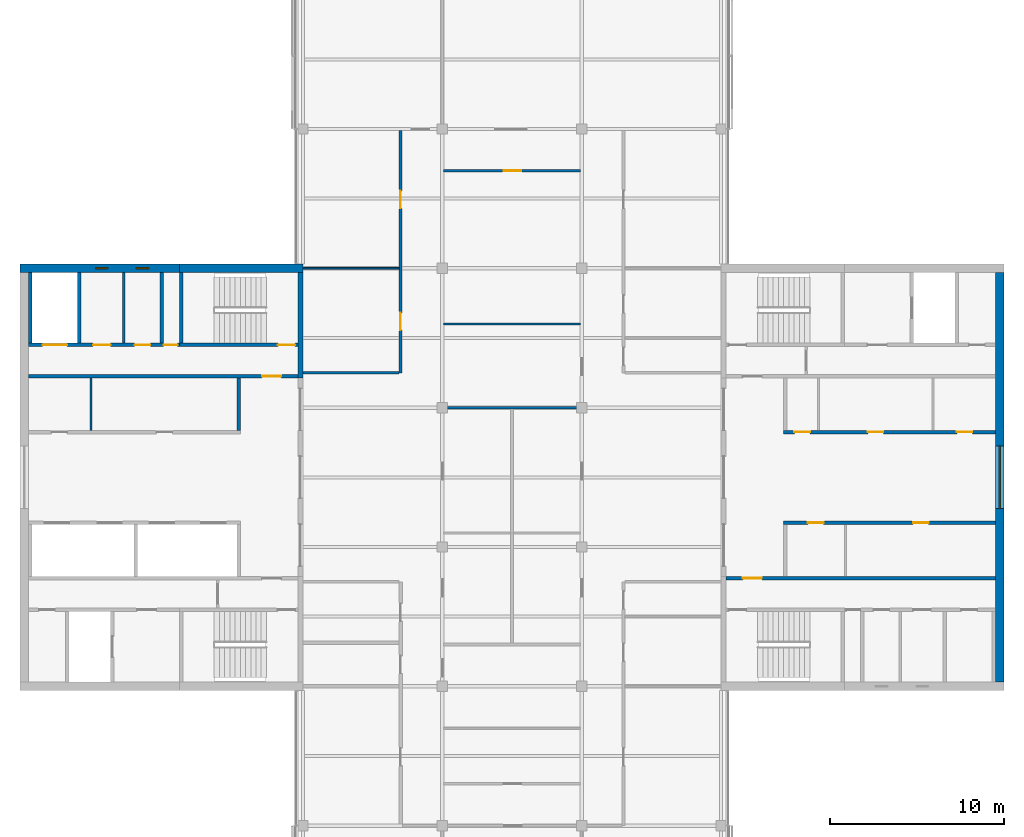
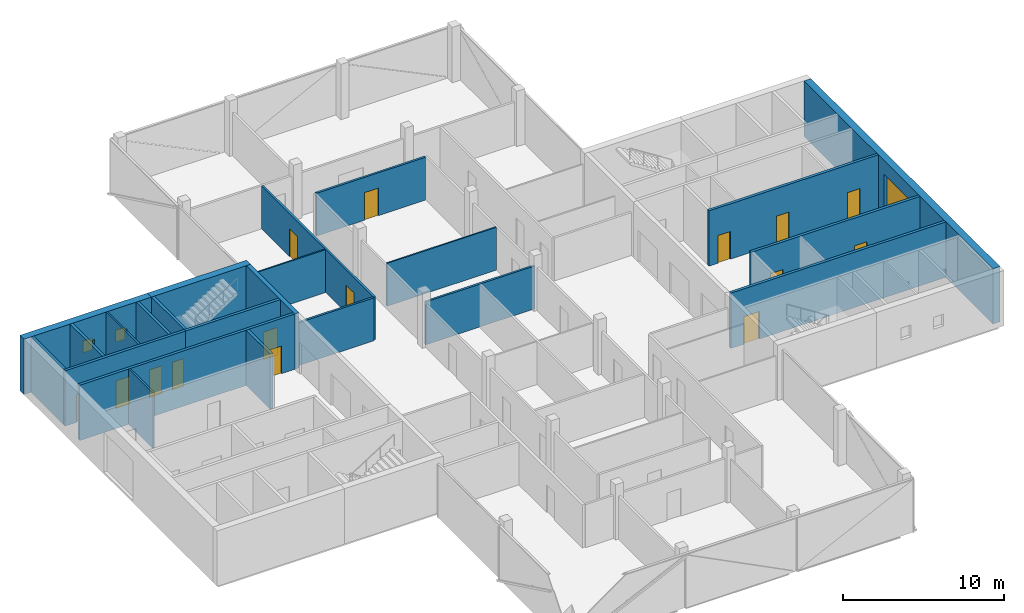
# One storey, part 11 of 16: 23 walls, 15 doors, 3 windows, 18 openings.
"""IFC4 building model written with IfcOpenShell, lengths in metres."""

from ifc_helpers import new_model, si_unit, direction, frame, frame_2d, origin, place, context, subcontext, project, spatial, rectangle, extrude, material, layer, layer_set, constituent, constituent_set, type_object, element, fill, save


model = new_model("IFC4")

# Units and contexts
model_context = context("Model", 3, precision=1e-05, world=origin(), true_north=direction((0.0, 1.0)))
body_context = subcontext(model_context, "Body", "Model", "MODEL_VIEW")
ifc_project = project(units=[si_unit("LENGTHUNIT", "METRE"), si_unit("AREAUNIT", "SQUARE_METRE"), si_unit("VOLUMEUNIT", "CUBIC_METRE"), si_unit("PLANEANGLEUNIT", "RADIAN"), si_unit("MASSUNIT", "GRAM", prefix="KILO")], contexts=[model_context])

# Site, building, storey
site_placement = place(None, origin())
site = spatial("IfcSite", under=ifc_project, at=site_placement, CompositionType="ELEMENT")
building_placement = place(site_placement, origin())
building = spatial("IfcBuilding", under=site, at=building_placement, Name="Crosswind Convention Tower", CompositionType="ELEMENT")
storey_placement = place(building_placement, frame((0.0, 0.0, 299.699951171875)))
storey = spatial("IfcBuildingStorey", under=building, at=storey_placement, Name="L65", CompositionType="ELEMENT", Elevation=299.699951171875)

# Walls
ifc_material_1 = material(Name="Concrete blockwork", Category="masonry")
ifc_layer_1 = layer(ifc_material_1, 0.199951171875)
ifc_layer_set_1 = layer_set([ifc_layer_1], Name="Blockwork partition wall 200")
wall_type_1 = type_object("IfcWallType", Name="Blockwork partition wall 200", PredefinedType="PARTITIONING", material=ifc_layer_set_1)
wall_1_placement = place(storey_placement, frame((104.89990234375, 111.75, 0.0), z_axis=(0.0, 0.0, 1.0), x_axis=(0.0, -1.0, 0.0)))
element("IfcWall", 1, at=wall_1_placement, inside=storey, type_object=wall_type_1, Name="Wall MRSE W L65", PredefinedType="PARTITIONING", context=body_context, shape_type="SweptSolid", body=[
    extrude(rectangle(XDim=4.050048828125, YDim=0.199951171875, at=frame_2d((2.02490234375, 0.0))), origin(), (0.0, 0.0, 1.0), 4.199951171875),
])
ifc_material_2 = material(Name="Concrete C50/60", Category="concrete")
ifc_layer_2 = layer(ifc_material_2, 0.300048828125)
ifc_layer_set_2 = layer_set([ifc_layer_2], Name="Concrete C50/60")
wall_type_2 = type_object("IfcWallType", Name="Concrete inner core wall 300", PredefinedType="SHEAR", material=ifc_layer_set_2)
wall_2_placement = place(storey_placement, frame((112.85009765625, 111.75, 0.0), z_axis=(0.0, 0.0, 1.0), x_axis=(0.0, -1.0, 0.0)))
element("IfcWall", 2, at=wall_2_placement, inside=storey, type_object=wall_type_2, Name="Wall EM W L65", PredefinedType="SHEAR", context=body_context, shape_type="SweptSolid", body=[
    extrude(rectangle(XDim=6.050048828125, YDim=0.300048828125, at=frame_2d((3.02490234375, 0.0))), origin(), (0.0, 0.0, 1.0), 4.199951171875),
])

# Wall, openings, doors
ifc_layer_3 = layer(ifc_material_2, 0.199951171875)
ifc_layer_set_3 = layer_set([ifc_layer_3], Name="Concrete C50/60")
wall_type_3 = type_object("IfcWallType", Name="Concrete shaft and stair wall 200", PredefinedType="SHEAR", material=ifc_layer_set_3)
wall_3_placement = place(storey_placement, frame((140.60009765625, 102.60009765625, 0.0), z_axis=(0.0, 0.0, 1.0), x_axis=(1.0, 0.0, 0.0)))
wall_3 = element("IfcWall", 3, at=wall_3_placement, inside=storey, type_object=wall_type_3, Name="Wall RPFRONT E L65", PredefinedType="SHEAR", context=body_context, shape_type="SweptSolid", body=[
    extrude(rectangle(XDim=12.14990234375, YDim=0.199951171875, at=frame_2d((6.074951171875, 0.0))), origin(), (0.0, 0.0, 1.0), 4.199951171875),
])
opening_1_placement = place(wall_3_placement, frame((0.614990234375, 0.0, 0.0)))
opening_1 = element("IfcOpeningElement", 4, at=opening_1_placement, cuts=wall_3, Name="Opening D106", PredefinedType="OPENING", context=body_context, shape_type="SweptSolid", body=[
    extrude(rectangle(XDim=0.89990234375, YDim=2.10009765625, at=frame_2d((0.449951171875, 1.050048828125))), frame((0.0, 0.10986328125, 0.0), z_axis=(0.0, -1.0, 0.0), x_axis=(1.0, 0.0, 0.0)), (0.0, 0.0, 1.0), 0.219970703125),
])
opening_2_placement = place(wall_3_placement, frame((4.828857421875, 0.0, 0.0)))
opening_2 = element("IfcOpeningElement", 5, at=opening_2_placement, cuts=wall_3, Name="Opening D106", PredefinedType="OPENING", context=body_context, shape_type="SweptSolid", body=[
    extrude(rectangle(XDim=0.89990234375, YDim=2.10009765625, at=frame_2d((0.449951171875, 1.050048828125))), frame((0.0, 0.10986328125, 0.0), z_axis=(0.0, -1.0, 0.0), x_axis=(1.0, 0.0, 0.0)), (0.0, 0.0, 1.0), 0.219970703125),
])
opening_3_placement = place(wall_3_placement, frame((9.938720703125, 0.0, 0.0)))
opening_3 = element("IfcOpeningElement", 6, at=opening_3_placement, cuts=wall_3, Name="Opening D106", PredefinedType="OPENING", context=body_context, shape_type="SweptSolid", body=[
    extrude(rectangle(XDim=0.89990234375, YDim=2.10009765625, at=frame_2d((0.449951171875, 1.050048828125))), frame((0.0, 0.10986328125, 0.0), z_axis=(0.0, -1.0, 0.0), x_axis=(1.0, 0.0, 0.0)), (0.0, 0.0, 1.0), 0.219970703125),
])
ifc_material_3 = material(Name="Timber door", Category="wood")
door_type_1 = type_object("IfcDoorType", Name="Single leaf door 900x2100", OperationType="NOTDEFINED", PredefinedType="DOOR", material=ifc_material_3)
door_1_placement = place(opening_1_placement, origin())
door_1 = element("IfcDoor", 7, at=door_1_placement, inside=storey, type_object=door_type_1, Name="Door to tenant services room L65", ObjectType="D106", OperationType="SINGLE_SWING_RIGHT", OverallHeight=2.10009765625, OverallWidth=0.89990234375, PredefinedType="DOOR", context=body_context, shape_type="SweptSolid", body=[
    extrude(rectangle(XDim=0.89990234375, YDim=2.10009765625, at=frame_2d((0.449951171875, 1.050048828125))), frame((0.0, 0.02490234375, 0.0), z_axis=(0.0, -1.0, 0.0), x_axis=(1.0, 0.0, 0.0)), (0.0, 0.0, 1.0), 0.050048828125),
])
fill(opening_1, door_1)
door_2_placement = place(opening_2_placement, origin())
door_2 = element("IfcDoor", 8, at=door_2_placement, inside=storey, type_object=door_type_1, Name="Door to copy and print room L65", ObjectType="D106", OperationType="SINGLE_SWING_RIGHT", OverallHeight=2.10009765625, OverallWidth=0.89990234375, PredefinedType="DOOR", context=body_context, shape_type="SweptSolid", body=[
    extrude(rectangle(XDim=0.89990234375, YDim=2.10009765625, at=frame_2d((0.449951171875, 1.050048828125))), frame((0.0, 0.02490234375, 0.0), z_axis=(0.0, -1.0, 0.0), x_axis=(1.0, 0.0, 0.0)), (0.0, 0.0, 1.0), 0.050048828125),
])
fill(opening_2, door_2)
door_3_placement = place(opening_3_placement, origin())
door_3 = element("IfcDoor", 9, at=door_3_placement, inside=storey, type_object=door_type_1, Name="Door to meeting room L65", ObjectType="D106", OperationType="SINGLE_SWING_RIGHT", OverallHeight=2.10009765625, OverallWidth=0.89990234375, PredefinedType="DOOR", context=body_context, shape_type="SweptSolid", body=[
    extrude(rectangle(XDim=0.89990234375, YDim=2.10009765625, at=frame_2d((0.449951171875, 1.050048828125))), frame((0.0, 0.02490234375, 0.0), z_axis=(0.0, -1.0, 0.0), x_axis=(1.0, 0.0, 0.0)), (0.0, 0.0, 1.0), 0.050048828125),
])
fill(opening_3, door_3)

wall_4_placement = place(storey_placement, frame((140.60009765625, 97.39990234375, 0.0), z_axis=(0.0, 0.0, 1.0), x_axis=(1.0, 0.0, 0.0)))
wall_4 = element("IfcWall", 10, at=wall_4_placement, inside=storey, type_object=wall_type_3, Name="Wall RMFRONT E L65", PredefinedType="SHEAR", context=body_context, shape_type="SweptSolid", body=[
    extrude(rectangle(XDim=12.14990234375, YDim=0.199951171875, at=frame_2d((6.074951171875, 0.0))), origin(), (0.0, 0.0, 1.0), 4.199951171875),
])
opening_4_placement = place(wall_4_placement, frame((1.391845703125, 0.0, 0.0)))
opening_4 = element("IfcOpeningElement", 11, at=opening_4_placement, cuts=wall_4, Name="Opening D106", PredefinedType="OPENING", context=body_context, shape_type="SweptSolid", body=[
    extrude(rectangle(XDim=0.89990234375, YDim=2.10009765625, at=frame_2d((0.449951171875, 1.050048828125))), frame((0.0, 0.10986328125, 0.0), z_axis=(0.0, -1.0, 0.0), x_axis=(1.0, 0.0, 0.0)), (0.0, 0.0, 1.0), 0.219970703125),
])
opening_5_placement = place(wall_4_placement, frame((7.42919921875, 0.0, 0.0)))
opening_5 = element("IfcOpeningElement", 12, at=opening_5_placement, cuts=wall_4, Name="Opening D106", PredefinedType="OPENING", context=body_context, shape_type="SweptSolid", body=[
    extrude(rectangle(XDim=0.89990234375, YDim=2.10009765625, at=frame_2d((0.449951171875, 1.050048828125))), frame((0.0, 0.10986328125, 0.0), z_axis=(0.0, -1.0, 0.0), x_axis=(1.0, 0.0, 0.0)), (0.0, 0.0, 1.0), 0.219970703125),
])
door_4_placement = place(opening_4_placement, frame((0.89990234375, 0.0, 0.0), z_axis=(0.0, 0.0, 1.0), x_axis=(-1.0, 0.0, 0.0)))
door_4 = element("IfcDoor", 13, at=door_4_placement, inside=storey, type_object=door_type_1, Name="Door to copy and print room L65", ObjectType="D106", OperationType="SINGLE_SWING_LEFT", OverallHeight=2.10009765625, OverallWidth=0.89990234375, PredefinedType="DOOR", context=body_context, shape_type="SweptSolid", body=[
    extrude(rectangle(XDim=0.89990234375, YDim=2.10009765625, at=frame_2d((0.449951171875, 1.050048828125))), frame((0.0, 0.02490234375, 0.0), z_axis=(0.0, -1.0, 0.0), x_axis=(1.0, 0.0, 0.0)), (0.0, 0.0, 1.0), 0.050048828125),
])
fill(opening_4, door_4)
door_5_placement = place(opening_5_placement, frame((0.89990234375, 0.0, 0.0), z_axis=(0.0, 0.0, 1.0), x_axis=(-1.0, 0.0, 0.0)))
door_5 = element("IfcDoor", 14, at=door_5_placement, inside=storey, type_object=door_type_1, Name="Door to meeting room L65", ObjectType="D106", OperationType="SINGLE_SWING_LEFT", OverallHeight=2.10009765625, OverallWidth=0.89990234375, PredefinedType="DOOR", context=body_context, shape_type="SweptSolid", body=[
    extrude(rectangle(XDim=0.89990234375, YDim=2.10009765625, at=frame_2d((0.449951171875, 1.050048828125))), frame((0.0, 0.02490234375, 0.0), z_axis=(0.0, -1.0, 0.0), x_axis=(1.0, 0.0, 0.0)), (0.0, 0.0, 1.0), 0.050048828125),
])
fill(opening_5, door_5)

# Wall, opening, door
wall_5_placement = place(storey_placement, frame((137.300048828125, 94.199951171875, 0.0), z_axis=(0.0, 0.0, 1.0), x_axis=(1.0, 0.0, 0.0)))
wall_5 = element("IfcWall", 15, at=wall_5_placement, inside=storey, type_object=wall_type_3, Name="Wall HM E L65", PredefinedType="SHEAR", context=body_context, shape_type="SweptSolid", body=[
    extrude(rectangle(XDim=15.449951171875, YDim=0.199951171875, at=frame_2d((7.72509765625, 0.0))), origin(), (0.0, 0.0, 1.0), 4.199951171875),
])
opening_6_placement = place(wall_5_placement, frame((0.949951171875, 0.0, 0.0)))
opening_6 = element("IfcOpeningElement", 16, at=opening_6_placement, cuts=wall_5, Name="Opening D104", PredefinedType="OPENING", context=body_context, shape_type="SweptSolid", body=[
    extrude(rectangle(XDim=1.10009765625, YDim=2.10009765625, at=frame_2d((0.550048828125, 1.050048828125))), frame((0.0, 0.10986328125, 0.0), z_axis=(0.0, -1.0, 0.0), x_axis=(1.0, 0.0, 0.0)), (0.0, 0.0, 1.0), 0.219970703125),
])
ifc_material_4 = material(Name="Steel fire door", Category="steel")
door_type_2 = type_object("IfcDoorType", Name="Fire-rated single door 1100x2100", OperationType="NOTDEFINED", PredefinedType="DOOR", material=ifc_material_4)
door_6_placement = place(opening_6_placement, origin())
door_6 = element("IfcDoor", 17, at=door_6_placement, inside=storey, type_object=door_type_2, Name="Corridor door L65", ObjectType="D104", OperationType="SINGLE_SWING_LEFT", OverallHeight=2.10009765625, OverallWidth=1.10009765625, PredefinedType="DOOR", context=body_context, shape_type="SweptSolid", body=[
    extrude(rectangle(XDim=1.10009765625, YDim=2.10009765625, at=frame_2d((0.550048828125, 1.050048828125))), frame((0.0, 0.02490234375, 0.0), z_axis=(0.0, -1.0, 0.0), x_axis=(1.0, 0.0, 0.0)), (0.0, 0.0, 1.0), 0.050048828125),
])
fill(opening_6, door_6)

# Wall
wall_6_placement = place(storey_placement, frame((109.300048828125, 105.699951171875, 0.0), z_axis=(0.0, 0.0, 1.0), x_axis=(0.0, -1.0, 0.0)))
element("IfcWall", 18, at=wall_6_placement, inside=storey, type_object=wall_type_3, Name="Wall RMEND W L65", PredefinedType="SHEAR", context=body_context, shape_type="SweptSolid", body=[
    extrude(rectangle(XDim=3.0, YDim=0.199951171875, at=frame_2d((1.5, 0.0))), origin(), (0.0, 0.0, 1.0), 4.199951171875),
])

# Wall, opening, door
wall_7_placement = place(storey_placement, frame((112.699951171875, 105.800048828125, 0.0), z_axis=(0.0, 0.0, 1.0), x_axis=(-1.0, 0.0, 0.0)))
wall_7 = element("IfcWall", 19, at=wall_7_placement, inside=storey, type_object=wall_type_3, Name="Wall HM W L65", PredefinedType="SHEAR", context=body_context, shape_type="SweptSolid", body=[
    extrude(rectangle(XDim=15.449951171875, YDim=0.199951171875, at=frame_2d((7.72509765625, 0.0))), origin(), (0.0, 0.0, 1.0), 4.199951171875),
])
opening_7_placement = place(wall_7_placement, frame((0.949951171875, 0.0, 0.0)))
opening_7 = element("IfcOpeningElement", 20, at=opening_7_placement, cuts=wall_7, Name="Opening D104", PredefinedType="OPENING", context=body_context, shape_type="SweptSolid", body=[
    extrude(rectangle(XDim=1.10009765625, YDim=2.10009765625, at=frame_2d((0.550048828125, 1.050048828125))), frame((0.0, 0.10986328125, 0.0), z_axis=(0.0, -1.0, 0.0), x_axis=(1.0, 0.0, 0.0)), (0.0, 0.0, 1.0), 0.219970703125),
])
door_7_placement = place(opening_7_placement, origin())
door_7 = element("IfcDoor", 21, at=door_7_placement, inside=storey, type_object=door_type_2, Name="Corridor door L65", ObjectType="D104", OperationType="SINGLE_SWING_LEFT", OverallHeight=2.10009765625, OverallWidth=1.10009765625, PredefinedType="DOOR", context=body_context, shape_type="SweptSolid", body=[
    extrude(rectangle(XDim=1.10009765625, YDim=2.10009765625, at=frame_2d((0.550048828125, 1.050048828125))), frame((0.0, 0.02490234375, 0.0), z_axis=(0.0, -1.0, 0.0), x_axis=(1.0, 0.0, 0.0)), (0.0, 0.0, 1.0), 0.050048828125),
])
fill(opening_7, door_7)

# Walls
for number, where, z_axis, x_axis, name in (
    (22, (106.0, 111.75, 0.0), (0.0, 0.0, 1.0), (0.0, -1.0, 0.0), "Wall MSE W L65"),
    (23, (100.14990234375, 111.75, 0.0), (0.0, 0.0, 1.0), (0.0, -1.0, 0.0), "Wall MFSW W L65"),
    (24, (97.35009765625, 111.75, 0.0), (0.0, 0.0, 1.0), (0.0, -1.0, 0.0), "Wall MFSE W L65"),
):
    element("IfcWall", number, at=place(storey_placement, frame(where, z_axis=z_axis, x_axis=x_axis)), inside=storey, type_object=wall_type_3, Name=name, PredefinedType="SHEAR", context=body_context, shape_type="SweptSolid", body=[
        extrude(rectangle(XDim=4.050048828125, YDim=0.199951171875, at=frame_2d((2.02490234375, 0.0))), origin(), (0.0, 0.0, 1.0), 4.199951171875),
    ])

# Wall, opening, door
wall_8_placement = place(storey_placement, frame((112.699951171875, 107.60009765625, 0.0), z_axis=(0.0, 0.0, 1.0), x_axis=(-1.0, 0.0, 0.0)))
wall_8 = element("IfcWall", 25, at=wall_8_placement, inside=storey, type_object=wall_type_3, Name="Wall MCW W L65", PredefinedType="SHEAR", context=body_context, shape_type="SweptSolid", body=[
    extrude(rectangle(XDim=6.800048828125, YDim=0.199951171875, at=frame_2d((3.39990234375, 0.0))), origin(), (0.0, 0.0, 1.0), 4.199951171875),
])
opening_8_placement = place(wall_8_placement, frame((0.14990234375, 0.0, 0.0)))
opening_8 = element("IfcOpeningElement", 26, at=opening_8_placement, cuts=wall_8, Name="Opening D103", PredefinedType="OPENING", context=body_context, shape_type="SweptSolid", body=[
    extrude(rectangle(XDim=1.0, YDim=2.10009765625, at=frame_2d((0.5, 1.050048828125))), frame((0.0, 0.10986328125, 0.0), z_axis=(0.0, -1.0, 0.0), x_axis=(1.0, 0.0, 0.0)), (0.0, 0.0, 1.0), 0.219970703125),
])
door_type_3 = type_object("IfcDoorType", Name="Fire-rated single door 1000x2100", OperationType="NOTDEFINED", PredefinedType="DOOR", material=ifc_material_4)
door_8_placement = place(opening_8_placement, frame((1.0, 0.0, 0.0), z_axis=(0.0, 0.0, 1.0), x_axis=(-1.0, 0.0, 0.0)))
door_8 = element("IfcDoor", 27, at=door_8_placement, inside=storey, type_object=door_type_3, Name="Stair ST4 door L65", ObjectType="D103", OperationType="SINGLE_SWING_RIGHT", OverallHeight=2.10009765625, OverallWidth=1.0, PredefinedType="DOOR", context=body_context, shape_type="SweptSolid", body=[
    extrude(rectangle(XDim=1.0, YDim=2.10009765625, at=frame_2d((0.5, 1.050048828125))), frame((0.0, 0.02490234375, 0.0), z_axis=(0.0, -1.0, 0.0), x_axis=(1.0, 0.0, 0.0)), (0.0, 0.0, 1.0), 0.050048828125),
])
fill(opening_8, door_8)

# Wall, openings, doors
wall_9_placement = place(storey_placement, frame((105.89990234375, 107.60009765625, 0.0), z_axis=(0.0, 0.0, 1.0), x_axis=(-1.0, 0.0, 0.0)))
wall_9 = element("IfcWall", 28, at=wall_9_placement, inside=storey, type_object=wall_type_3, Name="Wall MCX W L65", PredefinedType="SHEAR", context=body_context, shape_type="SweptSolid", body=[
    extrude(rectangle(XDim=8.64990234375, YDim=0.199951171875, at=frame_2d((4.324951171875, 0.0))), origin(), (0.0, 0.0, 1.0), 4.199951171875),
])
opening_9_placement = place(wall_9_placement, frame((0.10009765625, 0.0, 0.0)))
opening_9 = element("IfcOpeningElement", 29, at=opening_9_placement, cuts=wall_9, Name="Opening D105", PredefinedType="OPENING", context=body_context, shape_type="SweptSolid", body=[
    extrude(rectangle(XDim=0.800048828125, YDim=2.10009765625, at=frame_2d((0.39990234375, 1.050048828125))), frame((0.0, 0.10986328125, 0.0), z_axis=(0.0, -1.0, 0.0), x_axis=(1.0, 0.0, 0.0)), (0.0, 0.0, 1.0), 0.219970703125),
])
opening_10_placement = place(wall_9_placement, frame((1.665283203125, 0.0, 0.0)))
opening_10 = element("IfcOpeningElement", 30, at=opening_10_placement, cuts=wall_9, Name="Opening D106", PredefinedType="OPENING", context=body_context, shape_type="SweptSolid", body=[
    extrude(rectangle(XDim=0.89990234375, YDim=2.10009765625, at=frame_2d((0.449951171875, 1.050048828125))), frame((0.0, 0.10986328125, 0.0), z_axis=(0.0, -1.0, 0.0), x_axis=(1.0, 0.0, 0.0)), (0.0, 0.0, 1.0), 0.219970703125),
])
opening_11_placement = place(wall_9_placement, frame((3.95263671875, 0.0, 0.0)))
opening_11 = element("IfcOpeningElement", 31, at=opening_11_placement, cuts=wall_9, Name="Opening D103", PredefinedType="OPENING", context=body_context, shape_type="SweptSolid", body=[
    extrude(rectangle(XDim=1.0, YDim=2.10009765625, at=frame_2d((0.5, 1.050048828125))), frame((0.0, 0.10986328125, 0.0), z_axis=(0.0, -1.0, 0.0), x_axis=(1.0, 0.0, 0.0)), (0.0, 0.0, 1.0), 0.219970703125),
])
opening_12_placement = place(wall_9_placement, frame((6.449951171875, 0.0, 0.0)))
opening_12 = element("IfcOpeningElement", 32, at=opening_12_placement, cuts=wall_9, Name="Opening LD2", PredefinedType="OPENING", context=body_context, shape_type="SweptSolid", body=[
    extrude(rectangle(XDim=1.39990234375, YDim=2.10009765625, at=frame_2d((0.699951171875, 1.050048828125))), frame((0.0, 0.10986328125, 0.0), z_axis=(0.0, -1.0, 0.0), x_axis=(1.0, 0.0, 0.0)), (0.0, 0.0, 1.0), 0.219970703125),
])
door_9_placement = place(opening_11_placement, frame((1.0, 0.0, 0.0), z_axis=(0.0, 0.0, 1.0), x_axis=(-1.0, 0.0, 0.0)))
door_9 = element("IfcDoor", 33, at=door_9_placement, inside=storey, type_object=door_type_3, Name="Door to accessible wc L65", ObjectType="D103", OperationType="SINGLE_SWING_LEFT", OverallHeight=2.10009765625, OverallWidth=1.0, PredefinedType="DOOR", context=body_context, shape_type="SweptSolid", body=[
    extrude(rectangle(XDim=1.0, YDim=2.10009765625, at=frame_2d((0.5, 1.050048828125))), frame((0.0, 0.02490234375, 0.0), z_axis=(0.0, -1.0, 0.0), x_axis=(1.0, 0.0, 0.0)), (0.0, 0.0, 1.0), 0.050048828125),
])
fill(opening_11, door_9)
ifc_material_5 = material(Name="Stainless steel", Category="steel")
door_type_4 = type_object("IfcDoorType", Name="Lift landing door 1400x2100", OperationType="DOUBLE_DOOR_SLIDING", PredefinedType="DOOR", material=ifc_material_5)
door_10_placement = place(opening_12_placement, origin())
door_10 = element("IfcDoor", 34, at=door_10_placement, inside=storey, type_object=door_type_4, Name="Landing door SV2 L65", ObjectType="LD2", OperationType="DOUBLE_DOOR_SLIDING", OverallHeight=2.10009765625, OverallWidth=1.39990234375, PredefinedType="DOOR", context=body_context, shape_type="SweptSolid", body=[
    extrude(rectangle(XDim=1.39990234375, YDim=2.10009765625, at=frame_2d((0.699951171875, 1.050048828125))), frame((0.0, 0.02490234375, 0.0), z_axis=(0.0, -1.0, 0.0), x_axis=(1.0, 0.0, 0.0)), (0.0, 0.0, 1.0), 0.050048828125),
])
fill(opening_12, door_10)
door_type_5 = type_object("IfcDoorType", Name="Riser access door 800x2100", OperationType="NOTDEFINED", PredefinedType="DOOR", material=ifc_material_4)
door_11_placement = place(opening_9_placement, frame((0.800048828125, 0.0, 0.0), z_axis=(0.0, 0.0, 1.0), x_axis=(-1.0, 0.0, 0.0)))
door_11 = element("IfcDoor", 35, at=door_11_placement, inside=storey, type_object=door_type_5, Name="Riser door L65", ObjectType="D105", OperationType="SINGLE_SWING_LEFT", OverallHeight=2.10009765625, OverallWidth=0.800048828125, PredefinedType="DOOR", context=body_context, shape_type="SweptSolid", body=[
    extrude(rectangle(XDim=0.800048828125, YDim=2.10009765625, at=frame_2d((0.39990234375, 1.050048828125))), frame((0.0, 0.02490234375, 0.0), z_axis=(0.0, -1.0, 0.0), x_axis=(1.0, 0.0, 0.0)), (0.0, 0.0, 1.0), 0.050048828125),
])
fill(opening_9, door_11)
door_12_placement = place(opening_10_placement, frame((0.89990234375, 0.0, 0.0), z_axis=(0.0, 0.0, 1.0), x_axis=(-1.0, 0.0, 0.0)))
door_12 = element("IfcDoor", 36, at=door_12_placement, inside=storey, type_object=door_type_1, Name="Door to wc L65", ObjectType="D106", OperationType="SINGLE_SWING_LEFT", OverallHeight=2.10009765625, OverallWidth=0.89990234375, PredefinedType="DOOR", context=body_context, shape_type="SweptSolid", body=[
    extrude(rectangle(XDim=0.89990234375, YDim=2.10009765625, at=frame_2d((0.449951171875, 1.050048828125))), frame((0.0, 0.02490234375, 0.0), z_axis=(0.0, -1.0, 0.0), x_axis=(1.0, 0.0, 0.0)), (0.0, 0.0, 1.0), 0.050048828125),
])
fill(opening_10, door_12)

# Walls
ifc_material_6 = material(Name="Gypsum plasterboard partition", Category="gypsum")
ifc_layer_4 = layer(ifc_material_6, 0.125)
ifc_layer_set_4 = layer_set([ifc_layer_4], Name="Drywall partition wall 125")
wall_type_4 = type_object("IfcWallType", Name="Drywall partition wall 125", PredefinedType="PARTITIONING", material=ifc_layer_set_4)
wall_10_placement = place(storey_placement, frame((100.8349609375, 105.699951171875, 0.0), z_axis=(0.0, 0.0, 1.0), x_axis=(0.0, -1.0, 0.0)))
element("IfcWall", 37, at=wall_10_placement, inside=storey, type_object=wall_type_4, Name="Wall RMP1 W L65", PredefinedType="PARTITIONING", context=body_context, shape_type="SweptSolid", body=[
    extrude(rectangle(XDim=3.0, YDim=0.125, at=frame_2d((1.5, 0.0))), origin(), (0.0, 0.0, 1.0), 4.199951171875),
])
wall_11_placement = place(storey_placement, frame((102.70703125, 111.75, 0.0), z_axis=(0.0, 0.0, 1.0), x_axis=(0.0, -1.0, 0.0)))
element("IfcWall", 38, at=wall_11_placement, inside=storey, type_object=wall_type_4, Name="Wall MWP1 W L65", PredefinedType="PARTITIONING", context=body_context, shape_type="SweptSolid", body=[
    extrude(rectangle(XDim=4.050048828125, YDim=0.125, at=frame_2d((2.02490234375, 0.0))), origin(), (0.0, 0.0, 1.0), 4.199951171875),
])
ifc_material_7 = material(Name="Plasterboard partition", Category="gypsum")
ifc_layer_5 = layer(ifc_material_7, 0.10009765625)
ifc_layer_set_5 = layer_set([ifc_layer_5], Name="PARTITION 100 METAL STUD")
wall_type_5 = type_object("IfcWallType", Name="PARTITION 100 METAL STUD", PredefinedType="PARTITIONING", material=ifc_layer_set_5)
wall_12_placement = place(storey_placement, frame((121.074951171875, 108.800048828125, 0.0), z_axis=(0.0, 0.0, 1.0), x_axis=(1.0, 0.0, 0.0)))
element("IfcWall", 39, at=wall_12_placement, inside=storey, type_object=wall_type_5, Name="Partition wall WT40", PredefinedType="PARTITIONING", context=body_context, shape_type="SweptSolid", body=[
    extrude(rectangle(XDim=7.85009765625, YDim=0.10009765625, at=frame_2d((3.925048828125, 0.0))), origin(), (0.0, 0.0, 1.0), 3.25537109375),
])
wall_13_placement = place(storey_placement, frame((113.0, 112.0, 0.0), z_axis=(0.0, 0.0, 1.0), x_axis=(1.0, 0.0, 0.0)))
element("IfcWall", 40, at=wall_13_placement, inside=storey, type_object=wall_type_5, Name="Partition wall WT40", PredefinedType="PARTITIONING", context=body_context, shape_type="SweptSolid", body=[
    extrude(rectangle(XDim=5.52490234375, YDim=0.10009765625, at=frame_2d((2.762451171875, 0.0))), origin(), (0.0, 0.0, 1.0), 3.25537109375),
])

# Wall, openings, doors
ifc_material_8 = material(Name="Fire-board partition with mineral wool", Category="gypsum")
ifc_layer_6 = layer(ifc_material_8, 0.14990234375)
ifc_layer_set_6 = layer_set([ifc_layer_6], Name="TENANCY WALL 150 TWO-HOUR BOARD")
wall_type_6 = type_object("IfcWallType", Name="TENANCY WALL 150 TWO-HOUR BOARD", PredefinedType="PARTITIONING", material=ifc_layer_set_6)
wall_14_placement = place(storey_placement, frame((118.60009765625, 106.0, 0.0), z_axis=(0.0, 0.0, 1.0), x_axis=(0.0, 1.0, 0.0)))
wall_14 = element("IfcWall", 41, at=wall_14_placement, inside=storey, type_object=wall_type_6, Name="Tenancy wall WT41", PredefinedType="PARTITIONING", context=body_context, shape_type="SweptSolid", body=[
    extrude(rectangle(XDim=13.925048828125, YDim=0.14990234375, at=frame_2d((6.96240234375, 0.0))), origin(), (0.0, 0.0, 1.0), 3.25537109375),
])
opening_13_placement = place(wall_14_placement, frame((2.449951171875, 0.0, 0.0)))
opening_13 = element("IfcOpeningElement", 42, at=opening_13_placement, cuts=wall_14, Name="Opening L65-56", PredefinedType="OPENING", context=body_context, shape_type="SweptSolid", body=[
    extrude(rectangle(XDim=1.0, YDim=2.10009765625, at=frame_2d((0.5, 1.050048828125))), frame((0.0, 0.0849609375, 0.0), z_axis=(0.0, -1.0, 0.0), x_axis=(1.0, 0.0, 0.0)), (0.0, 0.0, 1.0), 0.169921875),
])
opening_14_placement = place(wall_14_placement, frame((9.449951171875, 0.0, 0.0)))
opening_14 = element("IfcOpeningElement", 43, at=opening_14_placement, cuts=wall_14, Name="Opening L65-57", PredefinedType="OPENING", context=body_context, shape_type="SweptSolid", body=[
    extrude(rectangle(XDim=1.0, YDim=2.10009765625, at=frame_2d((0.5, 1.050048828125))), frame((0.0, 0.0849609375, 0.0), z_axis=(0.0, -1.0, 0.0), x_axis=(1.0, 0.0, 0.0)), (0.0, 0.0, 1.0), 0.169921875),
])
ifc_material_9 = material(Name="Timber fire door", Category="wood")
door_type_6 = type_object("IfcDoorType", Name="TENANCY ENTRANCE DOOR 1000X2100 FD30S", OperationType="NOTDEFINED", PredefinedType="DOOR", material=ifc_material_9)
door_13_placement = place(opening_13_placement, origin())
door_13 = element("IfcDoor", 44, at=door_13_placement, inside=storey, type_object=door_type_6, Name="Door L65-56", ObjectType="D41", OperationType="SINGLE_SWING_LEFT", OverallHeight=2.10009765625, OverallWidth=1.0, PredefinedType="DOOR", context=body_context, shape_type="SweptSolid", body=[
    extrude(rectangle(XDim=1.0, YDim=2.10009765625, at=frame_2d((0.5, 1.050048828125))), frame((0.0, 0.02490234375, 0.0), z_axis=(0.0, -1.0, 0.0), x_axis=(1.0, 0.0, 0.0)), (0.0, 0.0, 1.0), 0.050048828125),
])
fill(opening_13, door_13)
door_14_placement = place(opening_14_placement, origin())
door_14 = element("IfcDoor", 45, at=door_14_placement, inside=storey, type_object=door_type_6, Name="Door L65-57", ObjectType="D41", OperationType="SINGLE_SWING_LEFT", OverallHeight=2.10009765625, OverallWidth=1.0, PredefinedType="DOOR", context=body_context, shape_type="SweptSolid", body=[
    extrude(rectangle(XDim=1.0, YDim=2.10009765625, at=frame_2d((0.5, 1.050048828125))), frame((0.0, 0.02490234375, 0.0), z_axis=(0.0, -1.0, 0.0), x_axis=(1.0, 0.0, 0.0)), (0.0, 0.0, 1.0), 0.050048828125),
])
fill(opening_14, door_14)

# Walls
wall_15_placement = place(storey_placement, frame((121.074951171875, 104.0, 0.0), z_axis=(0.0, 0.0, 1.0), x_axis=(1.0, 0.0, 0.0)))
element("IfcWall", 46, at=wall_15_placement, inside=storey, type_object=wall_type_6, Name="Tenancy wall WT41", PredefinedType="PARTITIONING", context=body_context, shape_type="SweptSolid", body=[
    extrude(rectangle(XDim=7.85009765625, YDim=0.14990234375, at=frame_2d((3.925048828125, 0.0))), origin(), (0.0, 0.0, 1.0), 3.25537109375),
])
wall_16_placement = place(storey_placement, frame((113.0, 106.0, 0.0), z_axis=(0.0, 0.0, 1.0), x_axis=(1.0, 0.0, 0.0)))
element("IfcWall", 47, at=wall_16_placement, inside=storey, type_object=wall_type_6, Name="Tenancy wall WT41", PredefinedType="PARTITIONING", context=body_context, shape_type="SweptSolid", body=[
    extrude(rectangle(XDim=5.52490234375, YDim=0.14990234375, at=frame_2d((2.762451171875, 0.0))), origin(), (0.0, 0.0, 1.0), 3.25537109375),
])

# Wall, opening, door
wall_17_placement = place(storey_placement, frame((121.074951171875, 117.60009765625, 0.0), z_axis=(0.0, 0.0, 1.0), x_axis=(1.0, 0.0, 0.0)))
wall_17 = element("IfcWall", 48, at=wall_17_placement, inside=storey, type_object=wall_type_6, Name="Tenancy wall WT41", PredefinedType="PARTITIONING", context=body_context, shape_type="SweptSolid", body=[
    extrude(rectangle(XDim=7.85009765625, YDim=0.14990234375, at=frame_2d((3.925048828125, 0.0))), origin(), (0.0, 0.0, 1.0), 3.25537109375),
])
opening_15_placement = place(wall_17_placement, frame((3.449951171875, 0.0, 0.0)))
opening_15 = element("IfcOpeningElement", 49, at=opening_15_placement, cuts=wall_17, Name="Opening L65-71", PredefinedType="OPENING", context=body_context, shape_type="SweptSolid", body=[
    extrude(rectangle(XDim=1.0, YDim=2.10009765625, at=frame_2d((0.5, 1.050048828125))), frame((0.0, 0.0849609375, 0.0), z_axis=(0.0, -1.0, 0.0), x_axis=(1.0, 0.0, 0.0)), (0.0, 0.0, 1.0), 0.169921875),
])
door_15_placement = place(opening_15_placement, frame((1.0, 0.0, 0.0), z_axis=(0.0, 0.0, 1.0), x_axis=(-1.0, 0.0, 0.0)))
door_15 = element("IfcDoor", 50, at=door_15_placement, inside=storey, type_object=door_type_6, Name="Door L65-71", ObjectType="D41", OperationType="SINGLE_SWING_LEFT", OverallHeight=2.10009765625, OverallWidth=1.0, PredefinedType="DOOR", context=body_context, shape_type="SweptSolid", body=[
    extrude(rectangle(XDim=1.0, YDim=2.10009765625, at=frame_2d((0.5, 1.050048828125))), frame((0.0, 0.02490234375, 0.0), z_axis=(0.0, -1.0, 0.0), x_axis=(1.0, 0.0, 0.0)), (0.0, 0.0, 1.0), 0.050048828125),
])
fill(opening_15, door_15)

# Wall, opening, window
ifc_material_10 = material(Name="Concrete C60/75", Category="concrete")
ifc_constituent_1 = constituent(ifc_material_10, Name="Structure")
ifc_material_11 = material(Name="Terracotta rainscreen", Category="ceramic")
ifc_constituent_2 = constituent(ifc_material_11, Name="Facing")
ifc_constituent_set = constituent_set(constituents=[ifc_constituent_1, ifc_constituent_2], Name="Concrete C60/75, Terracotta rainscreen")
wall_type_7 = type_object("IfcWallType", Name="Terracotta rainscreen on concrete core wall 500", PredefinedType="SHEAR", material=ifc_constituent_set)
wall_18_placement = place(storey_placement, frame((153.0, 88.25, 0.0), z_axis=(0.0, 0.0, 1.0), x_axis=(0.0, 1.0, 0.0)))
wall_18 = element("IfcWall", 51, at=wall_18_placement, inside=storey, type_object=wall_type_7, Name="Wall O E L65", PredefinedType="SHEAR", context=body_context, shape_type="SweptSolid", body=[
    extrude(rectangle(XDim=23.5, YDim=0.5, at=frame_2d((11.75, 0.0))), origin(), (0.0, 0.0, 1.0), 4.199951171875),
])
opening_16_placement = place(wall_18_placement, frame((9.949951171875, 0.0, 0.14990234375)))
opening_16 = element("IfcOpeningElement", 52, at=opening_16_placement, cuts=wall_18, Name="Opening W1", PredefinedType="OPENING", context=body_context, shape_type="SweptSolid", body=[
    extrude(rectangle(XDim=3.60009765625, YDim=3.0, at=frame_2d((1.800048828125, 1.5))), frame((0.0, 0.260009765625, 0.0), z_axis=(0.0, -1.0, 0.0), x_axis=(1.0, 0.0, 0.0)), (0.0, 0.0, 1.0), 0.52001953125),
])
ifc_material_12 = material(Name="Clear laminated glass in aluminium frame", Category="aluminium")
window_type_1 = type_object("IfcWindowType", Name="Lobby end window 3600x3000", PartitioningType="SINGLE_PANEL", PredefinedType="WINDOW", material=ifc_material_12)
window_1_placement = place(opening_16_placement, origin())
window_1 = element("IfcWindow", 53, at=window_1_placement, inside=storey, type_object=window_type_1, Name="Lobby end window L65", ObjectType="W1", OverallHeight=3.0, OverallWidth=3.60009765625, PartitioningType="SINGLE_PANEL", PredefinedType="WINDOW", context=body_context, shape_type="SweptSolid", body=[
    extrude(rectangle(XDim=3.60009765625, YDim=3.0, at=frame_2d((1.800048828125, 1.5))), frame((0.0, 0.030029296875, 0.0), z_axis=(0.0, -1.0, 0.0), x_axis=(1.0, 0.0, 0.0)), (0.0, 0.0, 1.0), 0.06005859375),
])
fill(opening_16, window_1)

# Wall
wall_19_placement = place(storey_placement, frame((113.0, 112.0, 0.0), z_axis=(0.0, 0.0, 1.0), x_axis=(-1.0, 0.0, 0.0)))
element("IfcWall", 54, at=wall_19_placement, inside=storey, type_object=wall_type_7, Name="Wall S1 W L65", PredefinedType="SHEAR", context=body_context, shape_type="SweptSolid", body=[
    extrude(rectangle(XDim=7.10009765625, YDim=0.5, at=frame_2d((3.550048828125, 0.0))), origin(), (0.0, 0.0, 1.0), 4.199951171875),
])

# Wall, openings, windows
wall_20_placement = place(storey_placement, frame((105.89990234375, 112.0, 0.0), z_axis=(0.0, 0.0, 1.0), x_axis=(-1.0, 0.0, 0.0)))
wall_20 = element("IfcWall", 55, at=wall_20_placement, inside=storey, type_object=wall_type_7, Name="Wall S2 W L65", PredefinedType="SHEAR", context=body_context, shape_type="SweptSolid", body=[
    extrude(rectangle(XDim=9.14990234375, YDim=0.5, at=frame_2d((4.574951171875, 0.0))), origin(), (0.0, 0.0, 1.0), 4.199951171875),
])
opening_17_placement = place(wall_20_placement, frame((1.76513671875, 0.0, 1.5)))
opening_17 = element("IfcOpeningElement", 56, at=opening_17_placement, cuts=wall_20, Name="Opening W2", PredefinedType="OPENING", context=body_context, shape_type="SweptSolid", body=[
    extrude(rectangle(XDim=0.699951171875, YDim=0.89990234375, at=frame_2d((0.35009765625, 0.449951171875))), frame((0.0, 0.260009765625, 0.0), z_axis=(0.0, -1.0, 0.0), x_axis=(1.0, 0.0, 0.0)), (0.0, 0.0, 1.0), 0.52001953125),
])
opening_18_placement = place(wall_20_placement, frame((4.102783203125, 0.0, 1.5)))
opening_18 = element("IfcOpeningElement", 57, at=opening_18_placement, cuts=wall_20, Name="Opening W2", PredefinedType="OPENING", context=body_context, shape_type="SweptSolid", body=[
    extrude(rectangle(XDim=0.699951171875, YDim=0.89990234375, at=frame_2d((0.35009765625, 0.449951171875))), frame((0.0, 0.260009765625, 0.0), z_axis=(0.0, -1.0, 0.0), x_axis=(1.0, 0.0, 0.0)), (0.0, 0.0, 1.0), 0.52001953125),
])
ifc_material_13 = material(Name="Obscure glass in aluminium frame", Category="aluminium")
window_type_2 = type_object("IfcWindowType", Name="WC window 700x900", PartitioningType="SINGLE_PANEL", PredefinedType="WINDOW", material=ifc_material_13)
window_2_placement = place(opening_17_placement, origin())
window_2 = element("IfcWindow", 58, at=window_2_placement, inside=storey, type_object=window_type_2, Name="WC window L65", ObjectType="W2", OverallHeight=0.89990234375, OverallWidth=0.699951171875, PartitioningType="SINGLE_PANEL", PredefinedType="WINDOW", context=body_context, shape_type="SweptSolid", body=[
    extrude(rectangle(XDim=0.699951171875, YDim=0.89990234375, at=frame_2d((0.35009765625, 0.449951171875))), frame((0.0, 0.030029296875, 0.0), z_axis=(0.0, -1.0, 0.0), x_axis=(1.0, 0.0, 0.0)), (0.0, 0.0, 1.0), 0.06005859375),
])
fill(opening_17, window_2)
window_3_placement = place(opening_18_placement, origin())
window_3 = element("IfcWindow", 59, at=window_3_placement, inside=storey, type_object=window_type_2, Name="WC window L65", ObjectType="W2", OverallHeight=0.89990234375, OverallWidth=0.699951171875, PartitioningType="SINGLE_PANEL", PredefinedType="WINDOW", context=body_context, shape_type="SweptSolid", body=[
    extrude(rectangle(XDim=0.699951171875, YDim=0.89990234375, at=frame_2d((0.35009765625, 0.449951171875))), frame((0.0, 0.030029296875, 0.0), z_axis=(0.0, -1.0, 0.0), x_axis=(1.0, 0.0, 0.0)), (0.0, 0.0, 1.0), 0.06005859375),
])
fill(opening_18, window_3)

save(model, "model.ifc")
